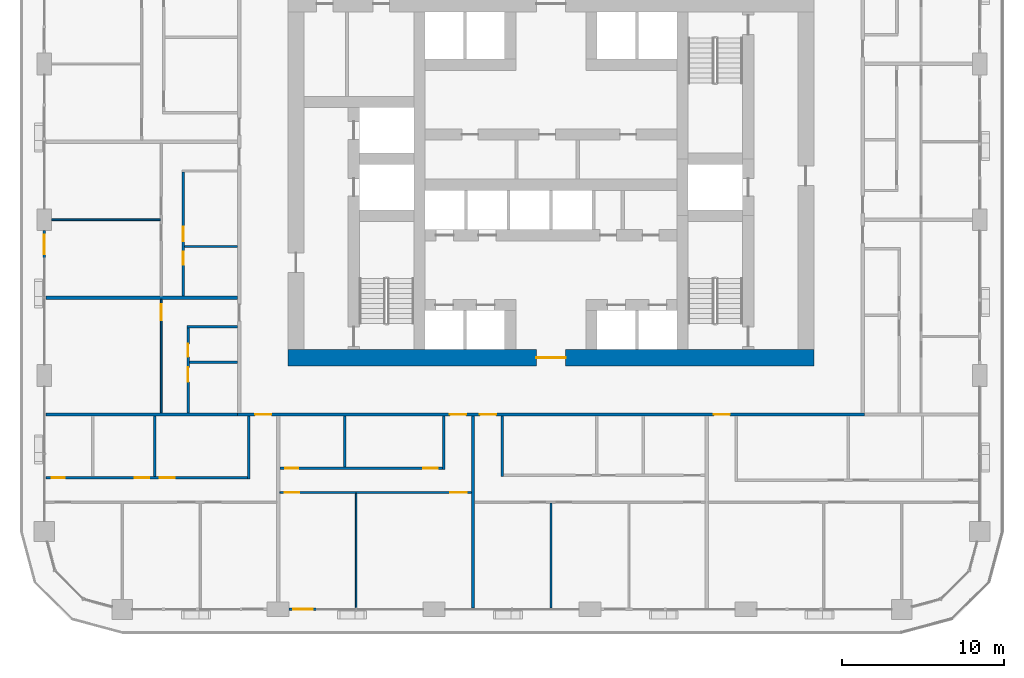
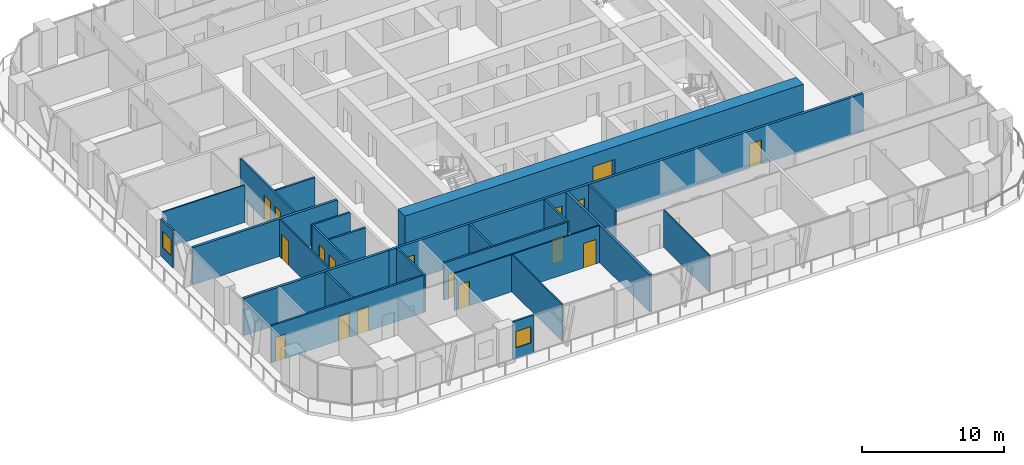
# One storey, part 9 of 21: 24 walls, 17 doors, 2 windows, 19 openings.
"""IFC4 building model written with IfcOpenShell, lengths in metres."""

from ifc_helpers import new_model, si_unit, direction, frame, frame_2d, origin, place, context, subcontext, project, spatial, rectangle, extrude, material, layer, layer_set, type_object, element, fill, save


model = new_model("IFC4")

# Units and contexts
model_context = context("Model", 3, precision=1e-05, world=origin(), true_north=direction((0.0, 1.0)))
body_context = subcontext(model_context, "Body", "Model", "MODEL_VIEW")
ifc_project = project(units=[si_unit("LENGTHUNIT", "METRE"), si_unit("AREAUNIT", "SQUARE_METRE"), si_unit("VOLUMEUNIT", "CUBIC_METRE"), si_unit("PLANEANGLEUNIT", "RADIAN"), si_unit("MASSUNIT", "GRAM", prefix="KILO")], contexts=[model_context])

# Site, building, storey
site_placement = place(None, origin())
site = spatial("IfcSite", under=ifc_project, at=site_placement, CompositionType="ELEMENT")
building_placement = place(site_placement, origin())
building = spatial("IfcBuilding", under=site, at=building_placement, Name="Madar Terraces", CompositionType="ELEMENT")
storey_placement = place(building_placement, frame((0.0, 0.0, 43.39990234375)))
storey = spatial("IfcBuildingStorey", under=building, at=storey_placement, Name="L10", CompositionType="ELEMENT", Elevation=43.39990234375)

# Wall, opening, door
ifc_material_1 = material(Name="Concrete C80/95", Category="concrete")
ifc_layer_1 = layer(ifc_material_1, 1.0)
ifc_layer_set_1 = layer_set([ifc_layer_1], Name="Concrete C80/95 (CRW1 RC wall 1000)")
wall_type_1 = type_object("IfcWallType", Name="CRW1 RC wall 1000", PredefinedType="SHEAR", material=ifc_layer_set_1)
wall_1_placement = place(storey_placement, frame((15.0, 15.5, 0.0), z_axis=(0.0, 0.0, 1.0), x_axis=(1.0, 0.0, 0.0)))
wall_1 = element("IfcWall", 1, at=wall_1_placement, inside=storey, type_object=wall_type_1, Name="CORE OUTER WALL", PredefinedType="SHEAR", context=body_context, shape_type="SweptSolid", body=[
    extrude(rectangle(XDim=32.39990234375, YDim=1.0, at=frame_2d((16.199951171875, 0.0))), origin(), (0.0, 0.0, 1.0), 3.2001953125),
])
opening_1_placement = place(wall_1_placement, frame((15.300048828125, 0.0, 0.0)))
opening_1 = element("IfcOpeningElement", 2, at=opening_1_placement, cuts=wall_1, Name="Opening KD1", PredefinedType="OPENING", context=body_context, shape_type="SweptSolid", body=[
    extrude(rectangle(XDim=1.800048828125, YDim=2.10009765625, at=frame_2d((0.89990234375, 1.050048828125))), frame((0.0, 0.510009765625, 0.0), z_axis=(0.0, -1.0, 0.0), x_axis=(1.0, 0.0, 0.0)), (0.0, 0.0, 1.0), 1.02001953125),
])
ifc_material_2 = material(Name="Steel door leaf", Category="steel")
door_type_1 = type_object("IfcDoorType", Name="Lobby door pair 1800 x 2100", OperationType="DOUBLE_DOOR_SINGLE_SWING", PredefinedType="DOOR", material=ifc_material_2)
door_1_placement = place(opening_1_placement, frame((1.800048828125, 0.0, 0.0), z_axis=(0.0, 0.0, 1.0), x_axis=(-1.0, 0.0, 0.0)))
door_1 = element("IfcDoor", 3, at=door_1_placement, inside=storey, type_object=door_type_1, Name="LIFT LOBBY DOOR", OperationType="DOUBLE_DOOR_SINGLE_SWING", OverallHeight=2.10009765625, OverallWidth=1.800048828125, PredefinedType="DOOR", context=body_context, shape_type="SweptSolid", body=[
    extrude(rectangle(XDim=1.800048828125, YDim=2.10009765625, at=frame_2d((0.89990234375, 1.050048828125))), frame((0.0, 0.02490234375, 0.0), z_axis=(0.0, -1.0, 0.0), x_axis=(1.0, 0.0, 0.0)), (0.0, 0.0, 1.0), 0.050048828125),
])
fill(opening_1, door_1)

# Wall, opening, window
ifc_material_3 = material(Name="Aluminium composite panel, black, over insulated backing", Category="aluminium")
ifc_layer_2 = layer(ifc_material_3, 0.14990234375)
ifc_layer_set_2 = layer_set([ifc_layer_2], Name="Facade bay panel 150")
wall_type_2 = type_object("IfcWallType", Name="Facade bay panel 150", PredefinedType="SOLIDWALL", material=ifc_layer_set_2)
wall_2_placement = place(storey_placement, frame((15.074951171875, 0.0, 0.0), z_axis=(0.0, 0.0, 1.0), x_axis=(1.0, 0.0, 0.0)))
wall_2 = element("IfcWall", 4, at=wall_2_placement, inside=storey, type_object=wall_type_2, Name="Facade bay panel", PredefinedType="SOLIDWALL", context=body_context, shape_type="SweptSolid", body=[
    extrude(rectangle(XDim=1.72509765625, YDim=0.14990234375, at=frame_2d((0.862548828125, 0.0))), origin(), (0.0, 0.0, 1.0), 3.2001953125),
])
opening_2_placement = place(wall_2_placement, frame((0.262451171875, 0.0, 0.89990234375)))
opening_2 = element("IfcOpeningElement", 5, at=opening_2_placement, cuts=wall_2, Name="Opening W1", PredefinedType="OPENING", context=body_context, shape_type="SweptSolid", body=[
    extrude(rectangle(XDim=1.199951171875, YDim=1.39990234375, at=frame_2d((0.60009765625, 0.699951171875))), frame((0.0, 0.0849609375, 0.0), z_axis=(0.0, -1.0, 0.0), x_axis=(1.0, 0.0, 0.0)), (0.0, 0.0, 1.0), 0.169921875),
])
ifc_material_4 = material(Name="Glass, clear, with black aluminium frame", Category="aluminium")
window_type = type_object("IfcWindowType", Name="Vent window 1200 x 1400", PartitioningType="SINGLE_PANEL", PredefinedType="WINDOW", material=ifc_material_4)
window_1_placement = place(opening_2_placement, origin())
window_1 = element("IfcWindow", 6, at=window_1_placement, inside=storey, type_object=window_type, Name="Operable vent window", OverallHeight=1.39990234375, OverallWidth=1.199951171875, PartitioningType="SINGLE_PANEL", PredefinedType="WINDOW", context=body_context, shape_type="SweptSolid", body=[
    extrude(rectangle(XDim=1.199951171875, YDim=1.39990234375, at=frame_2d((0.60009765625, 0.699951171875))), frame((0.0, 0.030029296875, 0.0), z_axis=(0.0, -1.0, 0.0), x_axis=(1.0, 0.0, 0.0)), (0.0, 0.0, 1.0), 0.06005859375),
])
fill(opening_2, window_1)

wall_3_placement = place(storey_placement, frame((0.0, 23.324951171875, 0.0), z_axis=(0.0, 0.0, 1.0), x_axis=(0.0, -1.0, 0.0)))
wall_3 = element("IfcWall", 7, at=wall_3_placement, inside=storey, type_object=wall_type_2, Name="Facade bay panel", PredefinedType="SOLIDWALL", context=body_context, shape_type="SweptSolid", body=[
    extrude(rectangle(XDim=1.724853515625, YDim=0.14990234375, at=frame_2d((0.8623046875, 0.0))), origin(), (0.0, 0.0, 1.0), 3.2001953125),
])
opening_3_placement = place(wall_3_placement, frame((0.262451171875, 0.0, 0.89990234375)))
opening_3 = element("IfcOpeningElement", 8, at=opening_3_placement, cuts=wall_3, Name="Opening W1", PredefinedType="OPENING", context=body_context, shape_type="SweptSolid", body=[
    extrude(rectangle(XDim=1.199951171875, YDim=1.39990234375, at=frame_2d((0.60009765625, 0.699951171875))), frame((0.0, 0.0849609375, 0.0), z_axis=(0.0, -1.0, 0.0), x_axis=(1.0, 0.0, 0.0)), (0.0, 0.0, 1.0), 0.169921875),
])
window_2_placement = place(opening_3_placement, origin())
window_2 = element("IfcWindow", 9, at=window_2_placement, inside=storey, type_object=window_type, Name="Operable vent window", OverallHeight=1.39990234375, OverallWidth=1.199951171875, PartitioningType="SINGLE_PANEL", PredefinedType="WINDOW", context=body_context, shape_type="SweptSolid", body=[
    extrude(rectangle(XDim=1.199951171875, YDim=1.39990234375, at=frame_2d((0.60009765625, 0.699951171875))), frame((0.0, 0.030029296875, 0.0), z_axis=(0.0, -1.0, 0.0), x_axis=(1.0, 0.0, 0.0)), (0.0, 0.0, 1.0), 0.06005859375),
])
fill(opening_3, window_2)

# Wall
ifc_material_5 = material(Name="Gypsum board on steel studs", Category="steel")
ifc_layer_3 = layer(ifc_material_5, 0.10009765625)
ifc_layer_set_3 = layer_set([ifc_layer_3], Name="Flat partition 100")
wall_type_3 = type_object("IfcWallType", Name="Flat partition 100", PredefinedType="PARTITIONING", material=ifc_layer_set_3)
wall_4_placement = place(storey_placement, frame((19.199951171875, 7.14990234375, 0.0), z_axis=(0.0, 0.0, 1.0), x_axis=(0.0, -1.0, 0.0)))
element("IfcWall", 10, at=wall_4_placement, inside=storey, type_object=wall_type_3, Name="Flat partition 100", PredefinedType="PARTITIONING", context=body_context, shape_type="SweptSolid", body=[
    extrude(rectangle(XDim=7.0498046875, YDim=0.10009765625, at=frame_2d((3.52490234375, 0.0))), origin(), (0.0, 0.0, 1.0), 3.2001953125),
])

# Wall, openings, doors
wall_5_placement = place(storey_placement, frame((26.300048828125, 7.199951171875, 0.0), z_axis=(0.0, 0.0, 1.0), x_axis=(-1.0, 0.0, 0.0)))
wall_5 = element("IfcWall", 11, at=wall_5_placement, inside=storey, type_object=wall_type_3, Name="Flat partition 100", PredefinedType="PARTITIONING", context=body_context, shape_type="SweptSolid", body=[
    extrude(rectangle(XDim=11.800048828125, YDim=0.10009765625, at=frame_2d((5.89990234375, 0.0))), origin(), (0.0, 0.0, 1.0), 3.2001953125),
])
opening_4_placement = place(wall_5_placement, frame((0.300048828125, 0.0, 0.0)))
opening_4 = element("IfcOpeningElement", 12, at=opening_4_placement, cuts=wall_5, Name="Opening D3", PredefinedType="OPENING", context=body_context, shape_type="SweptSolid", body=[
    extrude(rectangle(XDim=1.0, YDim=2.10009765625, at=frame_2d((0.5, 1.050048828125))), frame((0.0, 0.06005859375, 0.0), z_axis=(0.0, -1.0, 0.0), x_axis=(1.0, 0.0, 0.0)), (0.0, 0.0, 1.0), 0.1201171875),
])
opening_5_placement = place(wall_5_placement, frame((10.60009765625, 0.0, 0.0)))
opening_5 = element("IfcOpeningElement", 13, at=opening_5_placement, cuts=wall_5, Name="Opening D2", PredefinedType="OPENING", context=body_context, shape_type="SweptSolid", body=[
    extrude(rectangle(XDim=0.89990234375, YDim=2.10009765625, at=frame_2d((0.449951171875, 1.050048828125))), frame((0.0, 0.06005859375, 0.0), z_axis=(0.0, -1.0, 0.0), x_axis=(1.0, 0.0, 0.0)), (0.0, 0.0, 1.0), 0.1201171875),
])
ifc_material_6 = material(Name="Timber door leaf", Category="wood")
door_type_2 = type_object("IfcDoorType", Name="Flat living room door 1000", OperationType="NOTDEFINED", PredefinedType="DOOR", material=ifc_material_6)
door_2_placement = place(opening_4_placement, origin())
door_2 = element("IfcDoor", 14, at=door_2_placement, inside=storey, type_object=door_type_2, Name="Flat living room door 1000", OperationType="SINGLE_SWING_LEFT", OverallHeight=2.10009765625, OverallWidth=1.0, PredefinedType="DOOR", context=body_context, shape_type="SweptSolid", body=[
    extrude(rectangle(XDim=1.0, YDim=2.10009765625, at=frame_2d((0.5, 1.050048828125))), frame((0.0, 0.02490234375, 0.0), z_axis=(0.0, -1.0, 0.0), x_axis=(1.0, 0.0, 0.0)), (0.0, 0.0, 1.0), 0.050048828125),
])
fill(opening_4, door_2)
ifc_material_7 = material(Name="Timber door leaf", Category="wood")
door_type_3 = type_object("IfcDoorType", Name="Flat room door 900", OperationType="NOTDEFINED", PredefinedType="DOOR", material=ifc_material_7)
door_3_placement = place(opening_5_placement, origin())
door_3 = element("IfcDoor", 15, at=door_3_placement, inside=storey, type_object=door_type_3, Name="Flat room door 900", OperationType="SINGLE_SWING_RIGHT", OverallHeight=2.10009765625, OverallWidth=0.89990234375, PredefinedType="DOOR", context=body_context, shape_type="SweptSolid", body=[
    extrude(rectangle(XDim=0.89990234375, YDim=2.10009765625, at=frame_2d((0.449951171875, 1.050048828125))), frame((0.0, 0.02490234375, 0.0), z_axis=(0.0, -1.0, 0.0), x_axis=(1.0, 0.0, 0.0)), (0.0, 0.0, 1.0), 0.050048828125),
])
fill(opening_5, door_3)

# Walls
wall_6_placement = place(storey_placement, frame((31.199951171875, 6.550048828125, 0.0), z_axis=(0.0, 0.0, 1.0), x_axis=(0.0, -1.0, 0.0)))
element("IfcWall", 16, at=wall_6_placement, inside=storey, type_object=wall_type_3, Name="Flat partition 100", PredefinedType="PARTITIONING", context=body_context, shape_type="SweptSolid", body=[
    extrude(rectangle(XDim=6.449951171875, YDim=0.10009765625, at=frame_2d((3.22509765625, 0.0))), origin(), (0.0, 0.0, 1.0), 3.2001953125),
])
wall_7_placement = place(storey_placement, frame((7.14990234375, 24.0, 0.0), z_axis=(0.0, 0.0, 1.0), x_axis=(-1.0, 0.0, 0.0)))
element("IfcWall", 17, at=wall_7_placement, inside=storey, type_object=wall_type_3, Name="Flat partition 100", PredefinedType="PARTITIONING", context=body_context, shape_type="SweptSolid", body=[
    extrude(rectangle(XDim=6.699951171875, YDim=0.10009765625, at=frame_2d((3.35009765625, 0.0))), origin(), (0.0, 0.0, 1.0), 3.2001953125),
])

# Wall, opening, door
wall_8_placement = place(storey_placement, frame((7.199951171875, 12.10009765625, 0.0), z_axis=(0.0, 0.0, 1.0), x_axis=(0.0, 1.0, 0.0)))
wall_8 = element("IfcWall", 18, at=wall_8_placement, inside=storey, type_object=wall_type_3, Name="Flat partition 100", PredefinedType="PARTITIONING", context=body_context, shape_type="SweptSolid", body=[
    extrude(rectangle(XDim=7.0, YDim=0.10009765625, at=frame_2d((3.5, 0.0))), origin(), (0.0, 0.0, 1.0), 3.2001953125),
])
opening_6_placement = place(wall_8_placement, frame((5.699951171875, 0.0, 0.0)))
opening_6 = element("IfcOpeningElement", 19, at=opening_6_placement, cuts=wall_8, Name="Opening D3", PredefinedType="OPENING", context=body_context, shape_type="SweptSolid", body=[
    extrude(rectangle(XDim=1.0, YDim=2.10009765625, at=frame_2d((0.5, 1.050048828125))), frame((0.0, 0.06005859375, 0.0), z_axis=(0.0, -1.0, 0.0), x_axis=(1.0, 0.0, 0.0)), (0.0, 0.0, 1.0), 0.1201171875),
])
door_4_placement = place(opening_6_placement, origin())
door_4 = element("IfcDoor", 20, at=door_4_placement, inside=storey, type_object=door_type_2, Name="Flat living room door 1000", OperationType="SINGLE_SWING_RIGHT", OverallHeight=2.10009765625, OverallWidth=1.0, PredefinedType="DOOR", context=body_context, shape_type="SweptSolid", body=[
    extrude(rectangle(XDim=1.0, YDim=2.10009765625, at=frame_2d((0.5, 1.050048828125))), frame((0.0, 0.02490234375, 0.0), z_axis=(0.0, -1.0, 0.0), x_axis=(1.0, 0.0, 0.0)), (0.0, 0.0, 1.0), 0.050048828125),
])
fill(opening_6, door_4)

# Wall, openings, doors
ifc_material_8 = material(Name="Lightweight blockwork", Category="masonry")
ifc_layer_4 = layer(ifc_material_8, 0.199951171875)
ifc_layer_set_4 = layer_set([ifc_layer_4], Name="Flat party and entrance wall 200")
wall_type_4 = type_object("IfcWallType", Name="Flat party and entrance wall 200", PredefinedType="PARTITIONING", material=ifc_layer_set_4)
wall_9_placement = place(storey_placement, frame((50.5, 12.0, 0.0), z_axis=(0.0, 0.0, 1.0), x_axis=(-1.0, 0.0, 0.0)))
wall_9 = element("IfcWall", 21, at=wall_9_placement, inside=storey, type_object=wall_type_4, Name="Flat party and entrance wall 200", PredefinedType="PARTITIONING", context=body_context, shape_type="SweptSolid", body=[
    extrude(rectangle(XDim=38.60009765625, YDim=0.199951171875, at=frame_2d((19.300048828125, 0.0))), origin(), (0.0, 0.0, 1.0), 3.2001953125),
])
opening_7_placement = place(wall_9_placement, frame((36.52490234375, 0.0, 0.0)))
opening_7 = element("IfcOpeningElement", 22, at=opening_7_placement, cuts=wall_9, Name="Opening D1", PredefinedType="OPENING", context=body_context, shape_type="SweptSolid", body=[
    extrude(rectangle(XDim=1.0, YDim=2.10009765625, at=frame_2d((0.5, 1.050048828125))), frame((0.0, 0.10986328125, 0.0), z_axis=(0.0, -1.0, 0.0), x_axis=(1.0, 0.0, 0.0)), (0.0, 0.0, 1.0), 0.219970703125),
])
opening_8_placement = place(wall_9_placement, frame((24.52490234375, 0.0, 0.0)))
opening_8 = element("IfcOpeningElement", 23, at=opening_8_placement, cuts=wall_9, Name="Opening D1", PredefinedType="OPENING", context=body_context, shape_type="SweptSolid", body=[
    extrude(rectangle(XDim=1.0, YDim=2.10009765625, at=frame_2d((0.5, 1.050048828125))), frame((0.0, 0.10986328125, 0.0), z_axis=(0.0, -1.0, 0.0), x_axis=(1.0, 0.0, 0.0)), (0.0, 0.0, 1.0), 0.219970703125),
])
opening_9_placement = place(wall_9_placement, frame((22.675048828125, 0.0, 0.0)))
opening_9 = element("IfcOpeningElement", 24, at=opening_9_placement, cuts=wall_9, Name="Opening D1", PredefinedType="OPENING", context=body_context, shape_type="SweptSolid", body=[
    extrude(rectangle(XDim=1.0, YDim=2.10009765625, at=frame_2d((0.5, 1.050048828125))), frame((0.0, 0.10986328125, 0.0), z_axis=(0.0, -1.0, 0.0), x_axis=(1.0, 0.0, 0.0)), (0.0, 0.0, 1.0), 0.219970703125),
])
opening_10_placement = place(wall_9_placement, frame((8.27490234375, 0.0, 0.0)))
opening_10 = element("IfcOpeningElement", 25, at=opening_10_placement, cuts=wall_9, Name="Opening D1", PredefinedType="OPENING", context=body_context, shape_type="SweptSolid", body=[
    extrude(rectangle(XDim=1.0, YDim=2.10009765625, at=frame_2d((0.5, 1.050048828125))), frame((0.0, 0.10986328125, 0.0), z_axis=(0.0, -1.0, 0.0), x_axis=(1.0, 0.0, 0.0)), (0.0, 0.0, 1.0), 0.219970703125),
])
ifc_material_9 = material(Name="Timber fire door leaf", Category="wood")
door_type_4 = type_object("IfcDoorType", Name="Flat entrance door 1000 FD30S", OperationType="NOTDEFINED", PredefinedType="DOOR", material=ifc_material_9)
door_5_placement = place(opening_7_placement, origin())
door_5 = element("IfcDoor", 26, at=door_5_placement, inside=storey, type_object=door_type_4, Name="Flat entrance door 1000 FD30S", OperationType="SINGLE_SWING_LEFT", OverallHeight=2.10009765625, OverallWidth=1.0, PredefinedType="DOOR", context=body_context, shape_type="SweptSolid", body=[
    extrude(rectangle(XDim=1.0, YDim=2.10009765625, at=frame_2d((0.5, 1.050048828125))), frame((0.0, 0.02490234375, 0.0), z_axis=(0.0, -1.0, 0.0), x_axis=(1.0, 0.0, 0.0)), (0.0, 0.0, 1.0), 0.050048828125),
])
fill(opening_7, door_5)
door_6_placement = place(opening_8_placement, origin())
door_6 = element("IfcDoor", 27, at=door_6_placement, inside=storey, type_object=door_type_4, Name="Flat entrance door 1000 FD30S", OperationType="SINGLE_SWING_LEFT", OverallHeight=2.10009765625, OverallWidth=1.0, PredefinedType="DOOR", context=body_context, shape_type="SweptSolid", body=[
    extrude(rectangle(XDim=1.0, YDim=2.10009765625, at=frame_2d((0.5, 1.050048828125))), frame((0.0, 0.02490234375, 0.0), z_axis=(0.0, -1.0, 0.0), x_axis=(1.0, 0.0, 0.0)), (0.0, 0.0, 1.0), 0.050048828125),
])
fill(opening_8, door_6)
door_7_placement = place(opening_9_placement, origin())
door_7 = element("IfcDoor", 28, at=door_7_placement, inside=storey, type_object=door_type_4, Name="Flat entrance door 1000 FD30S", OperationType="SINGLE_SWING_RIGHT", OverallHeight=2.10009765625, OverallWidth=1.0, PredefinedType="DOOR", context=body_context, shape_type="SweptSolid", body=[
    extrude(rectangle(XDim=1.0, YDim=2.10009765625, at=frame_2d((0.5, 1.050048828125))), frame((0.0, 0.02490234375, 0.0), z_axis=(0.0, -1.0, 0.0), x_axis=(1.0, 0.0, 0.0)), (0.0, 0.0, 1.0), 0.050048828125),
])
fill(opening_9, door_7)
door_8_placement = place(opening_10_placement, origin())
door_8 = element("IfcDoor", 29, at=door_8_placement, inside=storey, type_object=door_type_4, Name="Flat entrance door 1000 FD30S", OperationType="SINGLE_SWING_RIGHT", OverallHeight=2.10009765625, OverallWidth=1.0, PredefinedType="DOOR", context=body_context, shape_type="SweptSolid", body=[
    extrude(rectangle(XDim=1.0, YDim=2.10009765625, at=frame_2d((0.5, 1.050048828125))), frame((0.0, 0.02490234375, 0.0), z_axis=(0.0, -1.0, 0.0), x_axis=(1.0, 0.0, 0.0)), (0.0, 0.0, 1.0), 0.050048828125),
])
fill(opening_10, door_8)

# Walls
for number, where, z_axis, x_axis, name in (
    (30, (0.10009765625, 12.0, 0.0), (0.0, 0.0, 1.0), (1.0, 0.0, 0.0), "Flat party and entrance wall 200"),
    (31, (26.39990234375, 11.89990234375, 0.0), (0.0, 0.0, 1.0), (0.0, -1.0, 0.0), "Flat party and entrance wall 200"),
    (32, (0.10009765625, 19.199951171875, 0.0), (0.0, 0.0, 1.0), (1.0, 0.0, 0.0), "Flat party and entrance wall 200"),
):
    element("IfcWall", number, at=place(storey_placement, frame(where, z_axis=z_axis, x_axis=x_axis)), inside=storey, type_object=wall_type_4, Name=name, PredefinedType="PARTITIONING", context=body_context, shape_type="SweptSolid", body=[
        extrude(rectangle(XDim=11.7998046875, YDim=0.199951171875, at=frame_2d((5.89990234375, 0.0))), origin(), (0.0, 0.0, 1.0), 3.2001953125),
    ])
ifc_material_10 = material(Name="Lightweight blockwork", Category="masonry")
ifc_layer_5 = layer(ifc_material_10, 0.14990234375)
ifc_layer_set_5 = layer_set([ifc_layer_5], Name="Flat wet-room partition 150")
wall_type_5 = type_object("IfcWallType", Name="Flat wet-room partition 150", PredefinedType="PARTITIONING", material=ifc_layer_set_5)
wall_10_placement = place(storey_placement, frame((6.790283203125, 11.89990234375, 0.0), z_axis=(0.0, 0.0, 1.0), x_axis=(0.0, -1.0, 0.0)))
element("IfcWall", 33, at=wall_10_placement, inside=storey, type_object=wall_type_5, Name="Flat wet-room partition 150", PredefinedType="PARTITIONING", context=body_context, shape_type="SweptSolid", body=[
    extrude(rectangle(XDim=3.724853515625, YDim=0.14990234375, at=frame_2d((1.8623046875, 0.0))), origin(), (0.0, 0.0, 1.0), 3.2001953125),
])
wall_11_placement = place(storey_placement, frame((12.60009765625, 11.89990234375, 0.0), z_axis=(0.0, 0.0, 1.0), x_axis=(0.0, -1.0, 0.0)))
element("IfcWall", 34, at=wall_11_placement, inside=storey, type_object=wall_type_5, Name="Flat wet-room partition 150", PredefinedType="PARTITIONING", context=body_context, shape_type="SweptSolid", body=[
    extrude(rectangle(XDim=3.875, YDim=0.14990234375, at=frame_2d((1.9375, 0.0))), origin(), (0.0, 0.0, 1.0), 3.2001953125),
])

# Wall, openings, doors
wall_12_placement = place(storey_placement, frame((0.10009765625, 8.10009765625, 0.0), z_axis=(0.0, 0.0, 1.0), x_axis=(1.0, 0.0, 0.0)))
wall_12 = element("IfcWall", 35, at=wall_12_placement, inside=storey, type_object=wall_type_5, Name="Flat wet-room partition 150", PredefinedType="PARTITIONING", context=body_context, shape_type="SweptSolid", body=[
    extrude(rectangle(XDim=12.4248046875, YDim=0.14990234375, at=frame_2d((6.21240234375, 0.0))), origin(), (0.0, 0.0, 1.0), 3.2001953125),
])
opening_11_placement = place(wall_12_placement, frame((7.015380859375, 0.0, 0.0)))
opening_11 = element("IfcOpeningElement", 36, at=opening_11_placement, cuts=wall_12, Name="Opening D2", PredefinedType="OPENING", context=body_context, shape_type="SweptSolid", body=[
    extrude(rectangle(XDim=0.89990234375, YDim=2.10009765625, at=frame_2d((0.449951171875, 1.050048828125))), frame((0.0, 0.0849609375, 0.0), z_axis=(0.0, -1.0, 0.0), x_axis=(1.0, 0.0, 0.0)), (0.0, 0.0, 1.0), 0.169921875),
])
opening_12_placement = place(wall_12_placement, frame((5.46533203125, 0.0, 0.0)))
opening_12 = element("IfcOpeningElement", 37, at=opening_12_placement, cuts=wall_12, Name="Opening D5", PredefinedType="OPENING", context=body_context, shape_type="SweptSolid", body=[
    extrude(rectangle(XDim=0.89990234375, YDim=2.10009765625, at=frame_2d((0.449951171875, 1.050048828125))), frame((0.0, 0.0849609375, 0.0), z_axis=(0.0, -1.0, 0.0), x_axis=(1.0, 0.0, 0.0)), (0.0, 0.0, 1.0), 0.169921875),
])
opening_13_placement = place(wall_12_placement, frame((0.35009765625, 0.0, 0.0)))
opening_13 = element("IfcOpeningElement", 38, at=opening_13_placement, cuts=wall_12, Name="Opening D4", PredefinedType="OPENING", context=body_context, shape_type="SweptSolid", body=[
    extrude(rectangle(XDim=0.800048828125, YDim=2.10009765625, at=frame_2d((0.39990234375, 1.050048828125))), frame((0.0, 0.0849609375, 0.0), z_axis=(0.0, -1.0, 0.0), x_axis=(1.0, 0.0, 0.0)), (0.0, 0.0, 1.0), 0.169921875),
])
ifc_material_11 = material(Name="Timber door leaf", Category="wood")
door_type_5 = type_object("IfcDoorType", Name="Flat accessible bathroom door 900", OperationType="NOTDEFINED", PredefinedType="DOOR", material=ifc_material_11)
door_9_placement = place(opening_12_placement, origin())
door_9 = element("IfcDoor", 39, at=door_9_placement, inside=storey, type_object=door_type_5, Name="Flat accessible bathroom door 900", OperationType="SINGLE_SWING_RIGHT", OverallHeight=2.10009765625, OverallWidth=0.89990234375, PredefinedType="DOOR", context=body_context, shape_type="SweptSolid", body=[
    extrude(rectangle(XDim=0.89990234375, YDim=2.10009765625, at=frame_2d((0.449951171875, 1.050048828125))), frame((0.0, 0.02490234375, 0.0), z_axis=(0.0, -1.0, 0.0), x_axis=(1.0, 0.0, 0.0)), (0.0, 0.0, 1.0), 0.050048828125),
])
fill(opening_12, door_9)
ifc_material_12 = material(Name="Timber door leaf", Category="wood")
door_type_6 = type_object("IfcDoorType", Name="Flat bathroom door 800", OperationType="NOTDEFINED", PredefinedType="DOOR", material=ifc_material_12)
door_10_placement = place(opening_13_placement, origin())
door_10 = element("IfcDoor", 40, at=door_10_placement, inside=storey, type_object=door_type_6, Name="Flat bathroom door 800", OperationType="SINGLE_SWING_LEFT", OverallHeight=2.10009765625, OverallWidth=0.800048828125, PredefinedType="DOOR", context=body_context, shape_type="SweptSolid", body=[
    extrude(rectangle(XDim=0.800048828125, YDim=2.10009765625, at=frame_2d((0.39990234375, 1.050048828125))), frame((0.0, 0.02490234375, 0.0), z_axis=(0.0, -1.0, 0.0), x_axis=(1.0, 0.0, 0.0)), (0.0, 0.0, 1.0), 0.050048828125),
])
fill(opening_13, door_10)
door_11_placement = place(opening_11_placement, origin())
door_11 = element("IfcDoor", 41, at=door_11_placement, inside=storey, type_object=door_type_3, Name="Flat room door 900", OperationType="SINGLE_SWING_LEFT", OverallHeight=2.10009765625, OverallWidth=0.89990234375, PredefinedType="DOOR", context=body_context, shape_type="SweptSolid", body=[
    extrude(rectangle(XDim=0.89990234375, YDim=2.10009765625, at=frame_2d((0.449951171875, 1.050048828125))), frame((0.0, 0.02490234375, 0.0), z_axis=(0.0, -1.0, 0.0), x_axis=(1.0, 0.0, 0.0)), (0.0, 0.0, 1.0), 0.050048828125),
])
fill(opening_11, door_11)

# Walls
wall_13_placement = place(storey_placement, frame((18.510009765625, 11.89990234375, 0.0), z_axis=(0.0, 0.0, 1.0), x_axis=(0.0, -1.0, 0.0)))
element("IfcWall", 42, at=wall_13_placement, inside=storey, type_object=wall_type_5, Name="Flat wet-room partition 150", PredefinedType="PARTITIONING", context=body_context, shape_type="SweptSolid", body=[
    extrude(rectangle(XDim=3.125, YDim=0.14990234375, at=frame_2d((1.5625, 0.0))), origin(), (0.0, 0.0, 1.0), 3.2001953125),
])
wall_14_placement = place(storey_placement, frame((24.60009765625, 11.89990234375, 0.0), z_axis=(0.0, 0.0, 1.0), x_axis=(0.0, -1.0, 0.0)))
element("IfcWall", 43, at=wall_14_placement, inside=storey, type_object=wall_type_5, Name="Flat wet-room partition 150", PredefinedType="PARTITIONING", context=body_context, shape_type="SweptSolid", body=[
    extrude(rectangle(XDim=3.27490234375, YDim=0.14990234375, at=frame_2d((1.637451171875, 0.0))), origin(), (0.0, 0.0, 1.0), 3.2001953125),
])

# Wall, openings, doors
wall_15_placement = place(storey_placement, frame((14.5, 8.699951171875, 0.0), z_axis=(0.0, 0.0, 1.0), x_axis=(1.0, 0.0, 0.0)))
wall_15 = element("IfcWall", 44, at=wall_15_placement, inside=storey, type_object=wall_type_5, Name="Flat wet-room partition 150", PredefinedType="PARTITIONING", context=body_context, shape_type="SweptSolid", body=[
    extrude(rectangle(XDim=10.02490234375, YDim=0.14990234375, at=frame_2d((5.012451171875, 0.0))), origin(), (0.0, 0.0, 1.0), 3.2001953125),
])
opening_14_placement = place(wall_15_placement, frame((8.824951171875, 0.0, 0.0)))
opening_14 = element("IfcOpeningElement", 45, at=opening_14_placement, cuts=wall_15, Name="Opening D2", PredefinedType="OPENING", context=body_context, shape_type="SweptSolid", body=[
    extrude(rectangle(XDim=0.89990234375, YDim=2.10009765625, at=frame_2d((0.449951171875, 1.050048828125))), frame((0.0, 0.0849609375, 0.0), z_axis=(0.0, -1.0, 0.0), x_axis=(1.0, 0.0, 0.0)), (0.0, 0.0, 1.0), 0.169921875),
])
opening_15_placement = place(wall_15_placement, frame((0.35009765625, 0.0, 0.0)))
opening_15 = element("IfcOpeningElement", 46, at=opening_15_placement, cuts=wall_15, Name="Opening D4", PredefinedType="OPENING", context=body_context, shape_type="SweptSolid", body=[
    extrude(rectangle(XDim=0.800048828125, YDim=2.10009765625, at=frame_2d((0.39990234375, 1.050048828125))), frame((0.0, 0.0849609375, 0.0), z_axis=(0.0, -1.0, 0.0), x_axis=(1.0, 0.0, 0.0)), (0.0, 0.0, 1.0), 0.169921875),
])
door_12_placement = place(opening_15_placement, origin())
door_12 = element("IfcDoor", 47, at=door_12_placement, inside=storey, type_object=door_type_6, Name="Flat bathroom door 800", OperationType="SINGLE_SWING_LEFT", OverallHeight=2.10009765625, OverallWidth=0.800048828125, PredefinedType="DOOR", context=body_context, shape_type="SweptSolid", body=[
    extrude(rectangle(XDim=0.800048828125, YDim=2.10009765625, at=frame_2d((0.39990234375, 1.050048828125))), frame((0.0, 0.02490234375, 0.0), z_axis=(0.0, -1.0, 0.0), x_axis=(1.0, 0.0, 0.0)), (0.0, 0.0, 1.0), 0.050048828125),
])
fill(opening_15, door_12)
door_13_placement = place(opening_14_placement, origin())
door_13 = element("IfcDoor", 48, at=door_13_placement, inside=storey, type_object=door_type_3, Name="Flat room door 900", OperationType="SINGLE_SWING_RIGHT", OverallHeight=2.10009765625, OverallWidth=0.89990234375, PredefinedType="DOOR", context=body_context, shape_type="SweptSolid", body=[
    extrude(rectangle(XDim=0.89990234375, YDim=2.10009765625, at=frame_2d((0.449951171875, 1.050048828125))), frame((0.0, 0.02490234375, 0.0), z_axis=(0.0, -1.0, 0.0), x_axis=(1.0, 0.0, 0.0)), (0.0, 0.0, 1.0), 0.050048828125),
])
fill(opening_14, door_13)

# Walls
wall_16_placement = place(storey_placement, frame((28.199951171875, 11.89990234375, 0.0), z_axis=(0.0, 0.0, 1.0), x_axis=(0.0, -1.0, 0.0)))
element("IfcWall", 49, at=wall_16_placement, inside=storey, type_object=wall_type_5, Name="Flat wet-room partition 150", PredefinedType="PARTITIONING", context=body_context, shape_type="SweptSolid", body=[
    extrude(rectangle(XDim=3.724853515625, YDim=0.14990234375, at=frame_2d((1.8623046875, 0.0))), origin(), (0.0, 0.0, 1.0), 3.2001953125),
])
wall_17_placement = place(storey_placement, frame((11.89990234375, 22.35009765625, 0.0), z_axis=(0.0, 0.0, 1.0), x_axis=(-1.0, 0.0, 0.0)))
element("IfcWall", 50, at=wall_17_placement, inside=storey, type_object=wall_type_5, Name="Flat wet-room partition 150", PredefinedType="PARTITIONING", context=body_context, shape_type="SweptSolid", body=[
    extrude(rectangle(XDim=3.27490234375, YDim=0.14990234375, at=frame_2d((1.637451171875, 0.0))), origin(), (0.0, 0.0, 1.0), 3.2001953125),
])

# Wall, openings, doors
wall_18_placement = place(storey_placement, frame((8.550048828125, 26.925048828125, 0.0), z_axis=(0.0, 0.0, 1.0), x_axis=(0.0, -1.0, 0.0)))
wall_18 = element("IfcWall", 51, at=wall_18_placement, inside=storey, type_object=wall_type_5, Name="Flat wet-room partition 150", PredefinedType="PARTITIONING", context=body_context, shape_type="SweptSolid", body=[
    extrude(rectangle(XDim=7.625, YDim=0.14990234375, at=frame_2d((3.8125, 0.0))), origin(), (0.0, 0.0, 1.0), 3.2001953125),
])
opening_16_placement = place(wall_18_placement, frame((3.35009765625, 0.0, 0.0)))
opening_16 = element("IfcOpeningElement", 52, at=opening_16_placement, cuts=wall_18, Name="Opening D2", PredefinedType="OPENING", context=body_context, shape_type="SweptSolid", body=[
    extrude(rectangle(XDim=0.89990234375, YDim=2.10009765625, at=frame_2d((0.449951171875, 1.050048828125))), frame((0.0, 0.0849609375, 0.0), z_axis=(0.0, -1.0, 0.0), x_axis=(1.0, 0.0, 0.0)), (0.0, 0.0, 1.0), 0.169921875),
])
opening_17_placement = place(wall_18_placement, frame((4.89990234375, 0.0, 0.0)))
opening_17 = element("IfcOpeningElement", 53, at=opening_17_placement, cuts=wall_18, Name="Opening D4", PredefinedType="OPENING", context=body_context, shape_type="SweptSolid", body=[
    extrude(rectangle(XDim=0.800048828125, YDim=2.10009765625, at=frame_2d((0.39990234375, 1.050048828125))), frame((0.0, 0.0849609375, 0.0), z_axis=(0.0, -1.0, 0.0), x_axis=(1.0, 0.0, 0.0)), (0.0, 0.0, 1.0), 0.169921875),
])
door_14_placement = place(opening_17_placement, origin())
door_14 = element("IfcDoor", 54, at=door_14_placement, inside=storey, type_object=door_type_6, Name="Flat bathroom door 800", OperationType="SINGLE_SWING_LEFT", OverallHeight=2.10009765625, OverallWidth=0.800048828125, PredefinedType="DOOR", context=body_context, shape_type="SweptSolid", body=[
    extrude(rectangle(XDim=0.800048828125, YDim=2.10009765625, at=frame_2d((0.39990234375, 1.050048828125))), frame((0.0, 0.02490234375, 0.0), z_axis=(0.0, -1.0, 0.0), x_axis=(1.0, 0.0, 0.0)), (0.0, 0.0, 1.0), 0.050048828125),
])
fill(opening_17, door_14)
door_15_placement = place(opening_16_placement, origin())
door_15 = element("IfcDoor", 55, at=door_15_placement, inside=storey, type_object=door_type_3, Name="Flat room door 900", OperationType="SINGLE_SWING_RIGHT", OverallHeight=2.10009765625, OverallWidth=0.89990234375, PredefinedType="DOOR", context=body_context, shape_type="SweptSolid", body=[
    extrude(rectangle(XDim=0.89990234375, YDim=2.10009765625, at=frame_2d((0.449951171875, 1.050048828125))), frame((0.0, 0.02490234375, 0.0), z_axis=(0.0, -1.0, 0.0), x_axis=(1.0, 0.0, 0.0)), (0.0, 0.0, 1.0), 0.050048828125),
])
fill(opening_16, door_15)

# Walls
wall_19_placement = place(storey_placement, frame((11.89990234375, 15.235107421875, 0.0), z_axis=(0.0, 0.0, 1.0), x_axis=(-1.0, 0.0, 0.0)))
element("IfcWall", 56, at=wall_19_placement, inside=storey, type_object=wall_type_5, Name="Flat wet-room partition 150", PredefinedType="PARTITIONING", context=body_context, shape_type="SweptSolid", body=[
    extrude(rectangle(XDim=2.974853515625, YDim=0.14990234375, at=frame_2d((1.4873046875, 0.0))), origin(), (0.0, 0.0, 1.0), 3.2001953125),
])
wall_20_placement = place(storey_placement, frame((11.89990234375, 17.39990234375, 0.0), z_axis=(0.0, 0.0, 1.0), x_axis=(-1.0, 0.0, 0.0)))
element("IfcWall", 57, at=wall_20_placement, inside=storey, type_object=wall_type_5, Name="Flat wet-room partition 150", PredefinedType="PARTITIONING", context=body_context, shape_type="SweptSolid", body=[
    extrude(rectangle(XDim=3.125, YDim=0.14990234375, at=frame_2d((1.5625, 0.0))), origin(), (0.0, 0.0, 1.0), 3.2001953125),
])

# Wall, openings, doors
wall_21_placement = place(storey_placement, frame((8.85009765625, 17.324951171875, 0.0), z_axis=(0.0, 0.0, 1.0), x_axis=(0.0, -1.0, 0.0)))
wall_21 = element("IfcWall", 58, at=wall_21_placement, inside=storey, type_object=wall_type_5, Name="Flat wet-room partition 150", PredefinedType="PARTITIONING", context=body_context, shape_type="SweptSolid", body=[
    extrude(rectangle(XDim=5.224853515625, YDim=0.14990234375, at=frame_2d((2.6123046875, 0.0))), origin(), (0.0, 0.0, 1.0), 3.2001953125),
])
opening_18_placement = place(wall_21_placement, frame((0.965087890625, 0.0, 0.0)))
opening_18 = element("IfcOpeningElement", 59, at=opening_18_placement, cuts=wall_21, Name="Opening D4", PredefinedType="OPENING", context=body_context, shape_type="SweptSolid", body=[
    extrude(rectangle(XDim=0.800048828125, YDim=2.10009765625, at=frame_2d((0.39990234375, 1.050048828125))), frame((0.0, 0.0849609375, 0.0), z_axis=(0.0, -1.0, 0.0), x_axis=(1.0, 0.0, 0.0)), (0.0, 0.0, 1.0), 0.169921875),
])
opening_19_placement = place(wall_21_placement, frame((2.4150390625, 0.0, 0.0)))
opening_19 = element("IfcOpeningElement", 60, at=opening_19_placement, cuts=wall_21, Name="Opening D2", PredefinedType="OPENING", context=body_context, shape_type="SweptSolid", body=[
    extrude(rectangle(XDim=0.89990234375, YDim=2.10009765625, at=frame_2d((0.449951171875, 1.050048828125))), frame((0.0, 0.0849609375, 0.0), z_axis=(0.0, -1.0, 0.0), x_axis=(1.0, 0.0, 0.0)), (0.0, 0.0, 1.0), 0.169921875),
])
door_16_placement = place(opening_18_placement, origin())
door_16 = element("IfcDoor", 61, at=door_16_placement, inside=storey, type_object=door_type_6, Name="Flat bathroom door 800", OperationType="SINGLE_SWING_RIGHT", OverallHeight=2.10009765625, OverallWidth=0.800048828125, PredefinedType="DOOR", context=body_context, shape_type="SweptSolid", body=[
    extrude(rectangle(XDim=0.800048828125, YDim=2.10009765625, at=frame_2d((0.39990234375, 1.050048828125))), frame((0.0, 0.02490234375, 0.0), z_axis=(0.0, -1.0, 0.0), x_axis=(1.0, 0.0, 0.0)), (0.0, 0.0, 1.0), 0.050048828125),
])
fill(opening_18, door_16)
door_17_placement = place(opening_19_placement, origin())
door_17 = element("IfcDoor", 62, at=door_17_placement, inside=storey, type_object=door_type_3, Name="Flat room door 900", OperationType="SINGLE_SWING_LEFT", OverallHeight=2.10009765625, OverallWidth=0.89990234375, PredefinedType="DOOR", context=body_context, shape_type="SweptSolid", body=[
    extrude(rectangle(XDim=0.89990234375, YDim=2.10009765625, at=frame_2d((0.449951171875, 1.050048828125))), frame((0.0, 0.02490234375, 0.0), z_axis=(0.0, -1.0, 0.0), x_axis=(1.0, 0.0, 0.0)), (0.0, 0.0, 1.0), 0.050048828125),
])
fill(opening_19, door_17)

save(model, "model.ifc")
